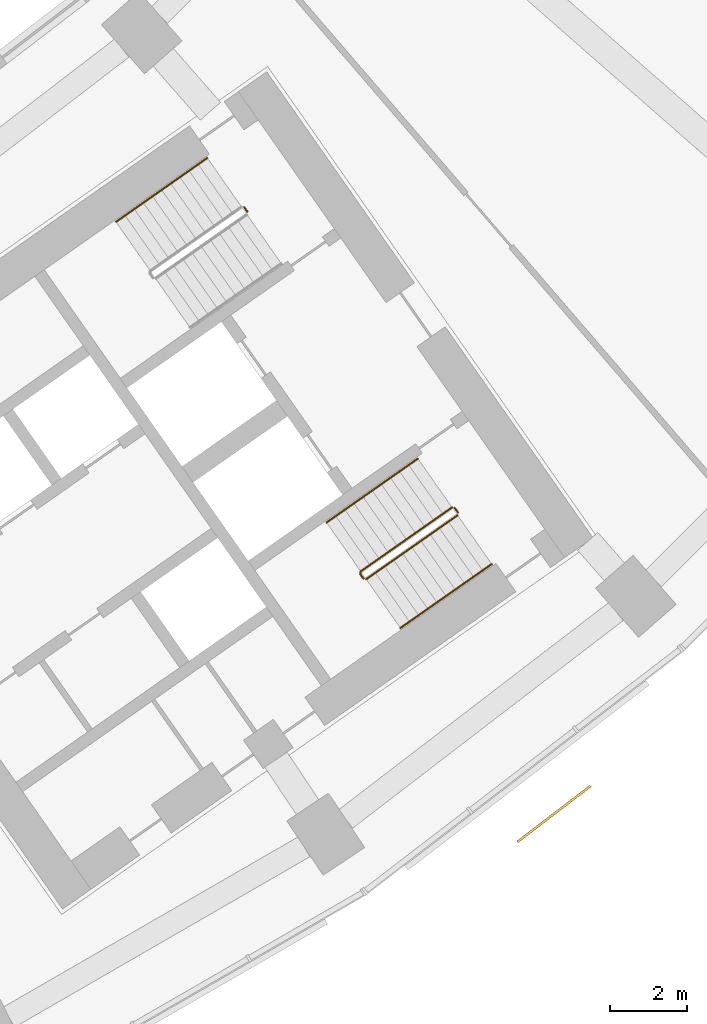
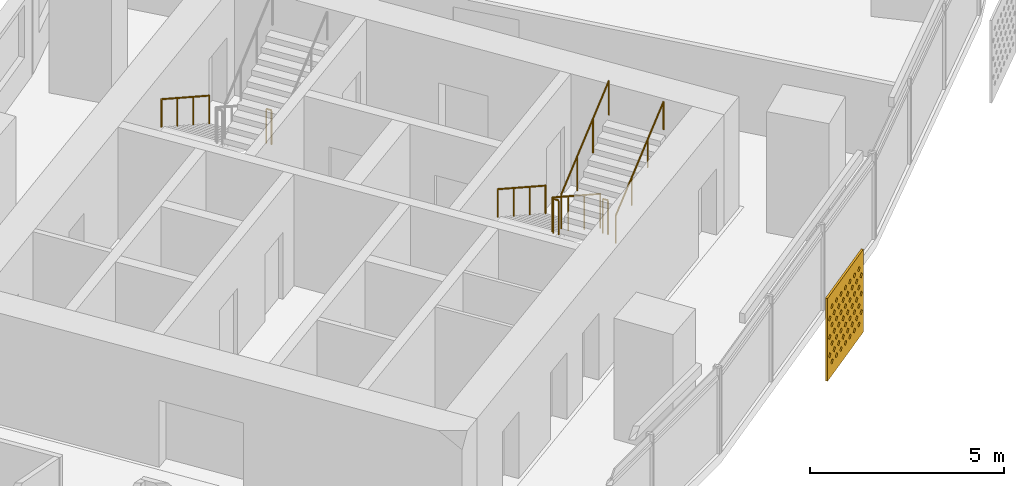
# One storey, part 30 of 31: 7 railings, 1 shading device.
"""IFC4 building model written with IfcOpenShell, lengths in metres."""

from ifc_helpers import new_model, si_unit, direction, frame, origin, origin_2d, place, context, subcontext, project, spatial, polyline, circle, outline, extrude, material, material_profile, profile_set, type_object, element, save


model = new_model("IFC4")

# Units and contexts
model_context = context("Model", 3, precision=1e-05, world=origin(), true_north=direction((0.0, 1.0)))
body_context = subcontext(model_context, "Body", "Model", "MODEL_VIEW")
ifc_project = project(units=[si_unit("LENGTHUNIT", "METRE"), si_unit("AREAUNIT", "SQUARE_METRE"), si_unit("VOLUMEUNIT", "CUBIC_METRE"), si_unit("PLANEANGLEUNIT", "RADIAN"), si_unit("MASSUNIT", "GRAM", prefix="KILO")], contexts=[model_context])

# Site, building, storey
site_placement = place(None, origin())
site = spatial("IfcSite", under=ifc_project, at=site_placement, CompositionType="ELEMENT")
building_placement = place(site_placement, origin())
building = spatial("IfcBuilding", under=site, at=building_placement, Name="Qamariyya Broadcast Tower", CompositionType="ELEMENT")
storey_placement = place(building_placement, frame((0.0, 0.0, 51.89990234375)))
storey = spatial("IfcBuildingStorey", under=building, at=storey_placement, Name="L09", CompositionType="ELEMENT", Elevation=51.89990234375)

# Shading device
ifc_material_1 = material(Name="Perforated glazed terracotta", Category="masonry")
ifc_material_profile = material_profile(ifc_material_1, outline(polyline([(-1.199951171875, -1.300048828125), (1.199951171875, -1.300048828125), (1.199951171875, 1.300048828125), (-1.199951171875, 1.300048828125), (-1.199951171875, -1.300048828125)]), holes=[polyline([(-0.81494140625, -0.86669921875), (-0.89990234375, -0.78173828125), (-0.985107421875, -0.86669921875), (-0.89990234375, -0.95166015625), (-0.81494140625, -0.86669921875)]), polyline([(-0.514892578125, -0.86669921875), (-0.60009765625, -0.78173828125), (-0.68505859375, -0.86669921875), (-0.60009765625, -0.95166015625), (-0.514892578125, -0.86669921875)]), polyline([(-0.215087890625, -0.86669921875), (-0.300048828125, -0.78173828125), (-0.385009765625, -0.86669921875), (-0.300048828125, -0.95166015625), (-0.215087890625, -0.86669921875)]), polyline([(0.0849609375, -0.86669921875), (0.0, -0.78173828125), (-0.0849609375, -0.86669921875), (0.0, -0.95166015625), (0.0849609375, -0.86669921875)]), polyline([(0.385009765625, -0.86669921875), (0.300048828125, -0.78173828125), (0.215087890625, -0.86669921875), (0.300048828125, -0.95166015625), (0.385009765625, -0.86669921875)]), polyline([(0.68505859375, -0.86669921875), (0.60009765625, -0.78173828125), (0.514892578125, -0.86669921875), (0.60009765625, -0.95166015625), (0.68505859375, -0.86669921875)]), polyline([(0.985107421875, -0.86669921875), (0.89990234375, -0.78173828125), (0.81494140625, -0.86669921875), (0.89990234375, -0.95166015625), (0.985107421875, -0.86669921875)]), polyline([(-0.965087890625, -0.577880859375), (-1.050048828125, -0.49267578125), (-1.135009765625, -0.577880859375), (-1.050048828125, -0.662841796875), (-0.965087890625, -0.577880859375)]), polyline([(-0.6650390625, -0.577880859375), (-0.75, -0.49267578125), (-0.8349609375, -0.577880859375), (-0.75, -0.662841796875), (-0.6650390625, -0.577880859375)]), polyline([(-0.364990234375, -0.577880859375), (-0.449951171875, -0.49267578125), (-0.534912109375, -0.577880859375), (-0.449951171875, -0.662841796875), (-0.364990234375, -0.577880859375)]), polyline([(-0.06494140625, -0.577880859375), (-0.14990234375, -0.49267578125), (-0.235107421875, -0.577880859375), (-0.14990234375, -0.662841796875), (-0.06494140625, -0.577880859375)]), polyline([(0.235107421875, -0.577880859375), (0.14990234375, -0.49267578125), (0.06494140625, -0.577880859375), (0.14990234375, -0.662841796875), (0.235107421875, -0.577880859375)]), polyline([(0.534912109375, -0.577880859375), (0.449951171875, -0.49267578125), (0.364990234375, -0.577880859375), (0.449951171875, -0.662841796875), (0.534912109375, -0.577880859375)]), polyline([(0.8349609375, -0.577880859375), (0.75, -0.49267578125), (0.6650390625, -0.577880859375), (0.75, -0.662841796875), (0.8349609375, -0.577880859375)]), polyline([(1.135009765625, -0.577880859375), (1.050048828125, -0.49267578125), (0.965087890625, -0.577880859375), (1.050048828125, -0.662841796875), (1.135009765625, -0.577880859375)]), polyline([(-0.81494140625, -0.288818359375), (-0.89990234375, -0.203857421875), (-0.985107421875, -0.288818359375), (-0.89990234375, -0.373779296875), (-0.81494140625, -0.288818359375)]), polyline([(-0.514892578125, -0.288818359375), (-0.60009765625, -0.203857421875), (-0.68505859375, -0.288818359375), (-0.60009765625, -0.373779296875), (-0.514892578125, -0.288818359375)]), polyline([(-0.215087890625, -0.288818359375), (-0.300048828125, -0.203857421875), (-0.385009765625, -0.288818359375), (-0.300048828125, -0.373779296875), (-0.215087890625, -0.288818359375)]), polyline([(0.0849609375, -0.288818359375), (0.0, -0.203857421875), (-0.0849609375, -0.288818359375), (0.0, -0.373779296875), (0.0849609375, -0.288818359375)]), polyline([(0.385009765625, -0.288818359375), (0.300048828125, -0.203857421875), (0.215087890625, -0.288818359375), (0.300048828125, -0.373779296875), (0.385009765625, -0.288818359375)]), polyline([(0.68505859375, -0.288818359375), (0.60009765625, -0.203857421875), (0.514892578125, -0.288818359375), (0.60009765625, -0.373779296875), (0.68505859375, -0.288818359375)]), polyline([(0.985107421875, -0.288818359375), (0.89990234375, -0.203857421875), (0.81494140625, -0.288818359375), (0.89990234375, -0.373779296875), (0.985107421875, -0.288818359375)]), polyline([(-0.965087890625, 0.0), (-1.050048828125, 0.0849609375), (-1.135009765625, 0.0), (-1.050048828125, -0.0849609375), (-0.965087890625, 0.0)]), polyline([(-0.6650390625, 0.0), (-0.75, 0.0849609375), (-0.8349609375, 0.0), (-0.75, -0.0849609375), (-0.6650390625, 0.0)]), polyline([(-0.364990234375, 0.0), (-0.449951171875, 0.0849609375), (-0.534912109375, 0.0), (-0.449951171875, -0.0849609375), (-0.364990234375, 0.0)]), polyline([(-0.06494140625, 0.0), (-0.14990234375, 0.0849609375), (-0.235107421875, 0.0), (-0.14990234375, -0.0849609375), (-0.06494140625, 0.0)]), polyline([(0.235107421875, 0.0), (0.14990234375, 0.0849609375), (0.06494140625, 0.0), (0.14990234375, -0.0849609375), (0.235107421875, 0.0)]), polyline([(0.534912109375, 0.0), (0.449951171875, 0.0849609375), (0.364990234375, 0.0), (0.449951171875, -0.0849609375), (0.534912109375, 0.0)]), polyline([(0.8349609375, 0.0), (0.75, 0.0849609375), (0.6650390625, 0.0), (0.75, -0.0849609375), (0.8349609375, 0.0)]), polyline([(1.135009765625, 0.0), (1.050048828125, 0.0849609375), (0.965087890625, 0.0), (1.050048828125, -0.0849609375), (1.135009765625, 0.0)]), polyline([(-0.81494140625, 0.288818359375), (-0.89990234375, 0.373779296875), (-0.985107421875, 0.288818359375), (-0.89990234375, 0.203857421875), (-0.81494140625, 0.288818359375)]), polyline([(-0.514892578125, 0.288818359375), (-0.60009765625, 0.373779296875), (-0.68505859375, 0.288818359375), (-0.60009765625, 0.203857421875), (-0.514892578125, 0.288818359375)]), polyline([(-0.215087890625, 0.288818359375), (-0.300048828125, 0.373779296875), (-0.385009765625, 0.288818359375), (-0.300048828125, 0.203857421875), (-0.215087890625, 0.288818359375)]), polyline([(0.0849609375, 0.288818359375), (0.0, 0.373779296875), (-0.0849609375, 0.288818359375), (0.0, 0.203857421875), (0.0849609375, 0.288818359375)]), polyline([(0.385009765625, 0.288818359375), (0.300048828125, 0.373779296875), (0.215087890625, 0.288818359375), (0.300048828125, 0.203857421875), (0.385009765625, 0.288818359375)]), polyline([(0.68505859375, 0.288818359375), (0.60009765625, 0.373779296875), (0.514892578125, 0.288818359375), (0.60009765625, 0.203857421875), (0.68505859375, 0.288818359375)]), polyline([(0.985107421875, 0.288818359375), (0.89990234375, 0.373779296875), (0.81494140625, 0.288818359375), (0.89990234375, 0.203857421875), (0.985107421875, 0.288818359375)]), polyline([(-0.965087890625, 0.577880859375), (-1.050048828125, 0.662841796875), (-1.135009765625, 0.577880859375), (-1.050048828125, 0.49267578125), (-0.965087890625, 0.577880859375)]), polyline([(-0.6650390625, 0.577880859375), (-0.75, 0.662841796875), (-0.8349609375, 0.577880859375), (-0.75, 0.49267578125), (-0.6650390625, 0.577880859375)]), polyline([(-0.364990234375, 0.577880859375), (-0.449951171875, 0.662841796875), (-0.534912109375, 0.577880859375), (-0.449951171875, 0.49267578125), (-0.364990234375, 0.577880859375)]), polyline([(-0.06494140625, 0.577880859375), (-0.14990234375, 0.662841796875), (-0.235107421875, 0.577880859375), (-0.14990234375, 0.49267578125), (-0.06494140625, 0.577880859375)]), polyline([(0.235107421875, 0.577880859375), (0.14990234375, 0.662841796875), (0.06494140625, 0.577880859375), (0.14990234375, 0.49267578125), (0.235107421875, 0.577880859375)]), polyline([(0.534912109375, 0.577880859375), (0.449951171875, 0.662841796875), (0.364990234375, 0.577880859375), (0.449951171875, 0.49267578125), (0.534912109375, 0.577880859375)]), polyline([(0.8349609375, 0.577880859375), (0.75, 0.662841796875), (0.6650390625, 0.577880859375), (0.75, 0.49267578125), (0.8349609375, 0.577880859375)]), polyline([(1.135009765625, 0.577880859375), (1.050048828125, 0.662841796875), (0.965087890625, 0.577880859375), (1.050048828125, 0.49267578125), (1.135009765625, 0.577880859375)]), polyline([(-0.81494140625, 0.86669921875), (-0.89990234375, 0.95166015625), (-0.985107421875, 0.86669921875), (-0.89990234375, 0.78173828125), (-0.81494140625, 0.86669921875)]), polyline([(-0.514892578125, 0.86669921875), (-0.60009765625, 0.95166015625), (-0.68505859375, 0.86669921875), (-0.60009765625, 0.78173828125), (-0.514892578125, 0.86669921875)]), polyline([(-0.215087890625, 0.86669921875), (-0.300048828125, 0.95166015625), (-0.385009765625, 0.86669921875), (-0.300048828125, 0.78173828125), (-0.215087890625, 0.86669921875)]), polyline([(0.0849609375, 0.86669921875), (0.0, 0.95166015625), (-0.0849609375, 0.86669921875), (0.0, 0.78173828125), (0.0849609375, 0.86669921875)]), polyline([(0.385009765625, 0.86669921875), (0.300048828125, 0.95166015625), (0.215087890625, 0.86669921875), (0.300048828125, 0.78173828125), (0.385009765625, 0.86669921875)]), polyline([(0.68505859375, 0.86669921875), (0.60009765625, 0.95166015625), (0.514892578125, 0.86669921875), (0.60009765625, 0.78173828125), (0.68505859375, 0.86669921875)]), polyline([(0.985107421875, 0.86669921875), (0.89990234375, 0.95166015625), (0.81494140625, 0.86669921875), (0.89990234375, 0.78173828125), (0.985107421875, 0.86669921875)])]))
ifc_profile_set = profile_set([ifc_material_profile], Name="Perforated glazed terracotta")
shading_device_type = type_object("IfcShadingDeviceType", Name="Perforated terracotta screen 2400 x 2600", PredefinedType="USERDEFINED", material=ifc_profile_set)
shading_device_placement = place(storey_placement, frame((49.11572265625, -64.0947265625, 1.35009765625), z_axis=(0.607147566278, -0.794589096806, 0.0), x_axis=(0.794589096806, 0.607147566278, 0.0)))
element("IfcShadingDevice", 1, at=shading_device_placement, inside=storey, type_object=shading_device_type, Name="e-scr-L09-13-1", ObjectType="SCREEN", PredefinedType="USERDEFINED", context=body_context, shape_type="SweptSolid", body=[
    extrude(outline(polyline([(-1.199951171875, -1.300048828125), (1.199951171875, -1.300048828125), (1.199951171875, 1.300048828125), (-1.199951171875, 1.300048828125), (-1.199951171875, -1.300048828125)]), holes=[polyline([(-0.81494140625, -0.86669921875), (-0.89990234375, -0.78173828125), (-0.985107421875, -0.86669921875), (-0.89990234375, -0.95166015625), (-0.81494140625, -0.86669921875)]), polyline([(-0.514892578125, -0.86669921875), (-0.60009765625, -0.78173828125), (-0.68505859375, -0.86669921875), (-0.60009765625, -0.95166015625), (-0.514892578125, -0.86669921875)]), polyline([(-0.215087890625, -0.86669921875), (-0.300048828125, -0.78173828125), (-0.385009765625, -0.86669921875), (-0.300048828125, -0.95166015625), (-0.215087890625, -0.86669921875)]), polyline([(0.0849609375, -0.86669921875), (0.0, -0.78173828125), (-0.0849609375, -0.86669921875), (0.0, -0.95166015625), (0.0849609375, -0.86669921875)]), polyline([(0.385009765625, -0.86669921875), (0.300048828125, -0.78173828125), (0.215087890625, -0.86669921875), (0.300048828125, -0.95166015625), (0.385009765625, -0.86669921875)]), polyline([(0.68505859375, -0.86669921875), (0.60009765625, -0.78173828125), (0.514892578125, -0.86669921875), (0.60009765625, -0.95166015625), (0.68505859375, -0.86669921875)]), polyline([(0.985107421875, -0.86669921875), (0.89990234375, -0.78173828125), (0.81494140625, -0.86669921875), (0.89990234375, -0.95166015625), (0.985107421875, -0.86669921875)]), polyline([(-0.965087890625, -0.577880859375), (-1.050048828125, -0.49267578125), (-1.135009765625, -0.577880859375), (-1.050048828125, -0.662841796875), (-0.965087890625, -0.577880859375)]), polyline([(-0.6650390625, -0.577880859375), (-0.75, -0.49267578125), (-0.8349609375, -0.577880859375), (-0.75, -0.662841796875), (-0.6650390625, -0.577880859375)]), polyline([(-0.364990234375, -0.577880859375), (-0.449951171875, -0.49267578125), (-0.534912109375, -0.577880859375), (-0.449951171875, -0.662841796875), (-0.364990234375, -0.577880859375)]), polyline([(-0.06494140625, -0.577880859375), (-0.14990234375, -0.49267578125), (-0.235107421875, -0.577880859375), (-0.14990234375, -0.662841796875), (-0.06494140625, -0.577880859375)]), polyline([(0.235107421875, -0.577880859375), (0.14990234375, -0.49267578125), (0.06494140625, -0.577880859375), (0.14990234375, -0.662841796875), (0.235107421875, -0.577880859375)]), polyline([(0.534912109375, -0.577880859375), (0.449951171875, -0.49267578125), (0.364990234375, -0.577880859375), (0.449951171875, -0.662841796875), (0.534912109375, -0.577880859375)]), polyline([(0.8349609375, -0.577880859375), (0.75, -0.49267578125), (0.6650390625, -0.577880859375), (0.75, -0.662841796875), (0.8349609375, -0.577880859375)]), polyline([(1.135009765625, -0.577880859375), (1.050048828125, -0.49267578125), (0.965087890625, -0.577880859375), (1.050048828125, -0.662841796875), (1.135009765625, -0.577880859375)]), polyline([(-0.81494140625, -0.288818359375), (-0.89990234375, -0.203857421875), (-0.985107421875, -0.288818359375), (-0.89990234375, -0.373779296875), (-0.81494140625, -0.288818359375)]), polyline([(-0.514892578125, -0.288818359375), (-0.60009765625, -0.203857421875), (-0.68505859375, -0.288818359375), (-0.60009765625, -0.373779296875), (-0.514892578125, -0.288818359375)]), polyline([(-0.215087890625, -0.288818359375), (-0.300048828125, -0.203857421875), (-0.385009765625, -0.288818359375), (-0.300048828125, -0.373779296875), (-0.215087890625, -0.288818359375)]), polyline([(0.0849609375, -0.288818359375), (0.0, -0.203857421875), (-0.0849609375, -0.288818359375), (0.0, -0.373779296875), (0.0849609375, -0.288818359375)]), polyline([(0.385009765625, -0.288818359375), (0.300048828125, -0.203857421875), (0.215087890625, -0.288818359375), (0.300048828125, -0.373779296875), (0.385009765625, -0.288818359375)]), polyline([(0.68505859375, -0.288818359375), (0.60009765625, -0.203857421875), (0.514892578125, -0.288818359375), (0.60009765625, -0.373779296875), (0.68505859375, -0.288818359375)]), polyline([(0.985107421875, -0.288818359375), (0.89990234375, -0.203857421875), (0.81494140625, -0.288818359375), (0.89990234375, -0.373779296875), (0.985107421875, -0.288818359375)]), polyline([(-0.965087890625, 0.0), (-1.050048828125, 0.0849609375), (-1.135009765625, 0.0), (-1.050048828125, -0.0849609375), (-0.965087890625, 0.0)]), polyline([(-0.6650390625, 0.0), (-0.75, 0.0849609375), (-0.8349609375, 0.0), (-0.75, -0.0849609375), (-0.6650390625, 0.0)]), polyline([(-0.364990234375, 0.0), (-0.449951171875, 0.0849609375), (-0.534912109375, 0.0), (-0.449951171875, -0.0849609375), (-0.364990234375, 0.0)]), polyline([(-0.06494140625, 0.0), (-0.14990234375, 0.0849609375), (-0.235107421875, 0.0), (-0.14990234375, -0.0849609375), (-0.06494140625, 0.0)]), polyline([(0.235107421875, 0.0), (0.14990234375, 0.0849609375), (0.06494140625, 0.0), (0.14990234375, -0.0849609375), (0.235107421875, 0.0)]), polyline([(0.534912109375, 0.0), (0.449951171875, 0.0849609375), (0.364990234375, 0.0), (0.449951171875, -0.0849609375), (0.534912109375, 0.0)]), polyline([(0.8349609375, 0.0), (0.75, 0.0849609375), (0.6650390625, 0.0), (0.75, -0.0849609375), (0.8349609375, 0.0)]), polyline([(1.135009765625, 0.0), (1.050048828125, 0.0849609375), (0.965087890625, 0.0), (1.050048828125, -0.0849609375), (1.135009765625, 0.0)]), polyline([(-0.81494140625, 0.288818359375), (-0.89990234375, 0.373779296875), (-0.985107421875, 0.288818359375), (-0.89990234375, 0.203857421875), (-0.81494140625, 0.288818359375)]), polyline([(-0.514892578125, 0.288818359375), (-0.60009765625, 0.373779296875), (-0.68505859375, 0.288818359375), (-0.60009765625, 0.203857421875), (-0.514892578125, 0.288818359375)]), polyline([(-0.215087890625, 0.288818359375), (-0.300048828125, 0.373779296875), (-0.385009765625, 0.288818359375), (-0.300048828125, 0.203857421875), (-0.215087890625, 0.288818359375)]), polyline([(0.0849609375, 0.288818359375), (0.0, 0.373779296875), (-0.0849609375, 0.288818359375), (0.0, 0.203857421875), (0.0849609375, 0.288818359375)]), polyline([(0.385009765625, 0.288818359375), (0.300048828125, 0.373779296875), (0.215087890625, 0.288818359375), (0.300048828125, 0.203857421875), (0.385009765625, 0.288818359375)]), polyline([(0.68505859375, 0.288818359375), (0.60009765625, 0.373779296875), (0.514892578125, 0.288818359375), (0.60009765625, 0.203857421875), (0.68505859375, 0.288818359375)]), polyline([(0.985107421875, 0.288818359375), (0.89990234375, 0.373779296875), (0.81494140625, 0.288818359375), (0.89990234375, 0.203857421875), (0.985107421875, 0.288818359375)]), polyline([(-0.965087890625, 0.577880859375), (-1.050048828125, 0.662841796875), (-1.135009765625, 0.577880859375), (-1.050048828125, 0.49267578125), (-0.965087890625, 0.577880859375)]), polyline([(-0.6650390625, 0.577880859375), (-0.75, 0.662841796875), (-0.8349609375, 0.577880859375), (-0.75, 0.49267578125), (-0.6650390625, 0.577880859375)]), polyline([(-0.364990234375, 0.577880859375), (-0.449951171875, 0.662841796875), (-0.534912109375, 0.577880859375), (-0.449951171875, 0.49267578125), (-0.364990234375, 0.577880859375)]), polyline([(-0.06494140625, 0.577880859375), (-0.14990234375, 0.662841796875), (-0.235107421875, 0.577880859375), (-0.14990234375, 0.49267578125), (-0.06494140625, 0.577880859375)]), polyline([(0.235107421875, 0.577880859375), (0.14990234375, 0.662841796875), (0.06494140625, 0.577880859375), (0.14990234375, 0.49267578125), (0.235107421875, 0.577880859375)]), polyline([(0.534912109375, 0.577880859375), (0.449951171875, 0.662841796875), (0.364990234375, 0.577880859375), (0.449951171875, 0.49267578125), (0.534912109375, 0.577880859375)]), polyline([(0.8349609375, 0.577880859375), (0.75, 0.662841796875), (0.6650390625, 0.577880859375), (0.75, 0.49267578125), (0.8349609375, 0.577880859375)]), polyline([(1.135009765625, 0.577880859375), (1.050048828125, 0.662841796875), (0.965087890625, 0.577880859375), (1.050048828125, 0.49267578125), (1.135009765625, 0.577880859375)]), polyline([(-0.81494140625, 0.86669921875), (-0.89990234375, 0.95166015625), (-0.985107421875, 0.86669921875), (-0.89990234375, 0.78173828125), (-0.81494140625, 0.86669921875)]), polyline([(-0.514892578125, 0.86669921875), (-0.60009765625, 0.95166015625), (-0.68505859375, 0.86669921875), (-0.60009765625, 0.78173828125), (-0.514892578125, 0.86669921875)]), polyline([(-0.215087890625, 0.86669921875), (-0.300048828125, 0.95166015625), (-0.385009765625, 0.86669921875), (-0.300048828125, 0.78173828125), (-0.215087890625, 0.86669921875)]), polyline([(0.0849609375, 0.86669921875), (0.0, 0.95166015625), (-0.0849609375, 0.86669921875), (0.0, 0.78173828125), (0.0849609375, 0.86669921875)]), polyline([(0.385009765625, 0.86669921875), (0.300048828125, 0.95166015625), (0.215087890625, 0.86669921875), (0.300048828125, 0.78173828125), (0.385009765625, 0.86669921875)]), polyline([(0.68505859375, 0.86669921875), (0.60009765625, 0.95166015625), (0.514892578125, 0.86669921875), (0.60009765625, 0.78173828125), (0.68505859375, 0.86669921875)]), polyline([(0.985107421875, 0.86669921875), (0.89990234375, 0.95166015625), (0.81494140625, 0.86669921875), (0.89990234375, 0.78173828125), (0.985107421875, 0.86669921875)])]), origin(), (0.0, 0.0, 1.0), 0.059814453125),
])

# Railings
ifc_material_2 = material(Name="Painted steel", Category="steel")
railing_type_1 = type_object("IfcRailingType", Name="Stair guard", PredefinedType="GUARDRAIL", material=ifc_material_2)
railing_1_placement = place(storey_placement, frame((41.072998046875, -48.332275390625, 0.0)))
element("IfcRailing", 2, at=railing_1_placement, inside=storey, type_object=railing_type_1, Name="L09 ST-E2 stair guard 3", PredefinedType="GUARDRAIL", context=body_context, shape_type="SweptSolid", body=[
    extrude(circle(Radius=0.02392578125, at=origin_2d()), frame((0.0, 0.0, 1.076171875), z_axis=(0.572588637393, -0.819842821722, 0.0), x_axis=(0.819842821722, 0.572588637393, 0.0)), (0.0, 0.0, 1.0), 0.150146484375),
    extrude(circle(Radius=0.02099609375, at=origin_2d()), origin(), (0.0, 0.0, 1.0), 1.052001953125),
    extrude(circle(Radius=0.02099609375, at=origin_2d()), frame((0.0859375, -0.123046875, 0.0)), (0.0, 0.0, 1.0), 1.052001953125),
])
railing_2_placement = place(storey_placement, frame((46.48095703125, -56.14306640625, 0.1728515625)))
element("IfcRailing", 3, at=railing_2_placement, inside=storey, type_object=railing_type_1, Name="L09 ST-E1 stair guard 1", PredefinedType="GUARDRAIL", context=body_context, shape_type="SweptSolid", body=[
    extrude(circle(Radius=0.02392578125, at=origin_2d()), frame((0.0, 0.0, 1.076171875), z_axis=(-0.703770094002, -0.492783725636, 0.511734163933), x_axis=(0.573575343427, -0.819152809562, 0.0)), (0.0, 0.0, 1.0), 3.37548828125),
    extrude(circle(Radius=0.02392578125, at=origin_2d()), frame((-2.37548828125, -1.663330078125, 2.80322265625), z_axis=(-0.176149252506, -0.984363469884, 0.0), x_axis=(0.984363469884, -0.176149252506, 0.0)), (0.0, 0.0, 1.0), 0.07080078125),
    extrude(circle(Radius=0.02392578125, at=origin_2d()), frame((-2.387939453125, -1.73291015625, 2.80322265625), z_axis=(0.574444878118, -0.818543268254, 0.0), x_axis=(0.818543268254, 0.574444878118, 0.0)), (0.0, 0.0, 1.0), 0.150146484375),
    extrude(circle(Radius=0.02099609375, at=origin_2d()), origin(), (0.0, 0.0, 1.0), 1.052001953125),
    extrude(circle(Radius=0.02099609375, at=origin_2d()), frame((-0.791748046875, -0.554443359375, 0.57568359375)), (0.0, 0.0, 1.0), 1.052001953125),
    extrude(circle(Radius=0.02099609375, at=origin_2d()), frame((-1.583740234375, -1.10888671875, 1.151611328125)), (0.0, 0.0, 1.0), 1.052001953125),
    extrude(circle(Radius=0.02099609375, at=origin_2d()), frame((-2.37548828125, -1.663330078125, 1.727294921875)), (0.0, 0.0, 1.0), 1.052001953125),
    extrude(circle(Radius=0.02099609375, at=origin_2d()), frame((-2.387939453125, -1.73291015625, 1.727294921875)), (0.0, 0.0, 1.0), 1.052001953125),
    extrude(circle(Radius=0.02099609375, at=origin_2d()), frame((-2.3017578125, -1.855712890625, 1.727294921875)), (0.0, 0.0, 1.0), 1.052001953125),
])
railing_3_placement = place(storey_placement, frame((44.248779296875, -58.01123046875, 2.07275390625)))
element("IfcRailing", 4, at=railing_3_placement, inside=storey, type_object=railing_type_1, Name="L09 ST-E1 stair guard 2", PredefinedType="GUARDRAIL", context=body_context, shape_type="SweptSolid", body=[
    extrude(circle(Radius=0.02392578125, at=origin_2d()), frame((0.0, 0.0, 1.076171875), z_axis=(0.703745009021, 0.492838488332, 0.511715923826), x_axis=(-0.573631830683, 0.819113253969, 0.0)), (0.0, 0.0, 1.0), 3.37548828125),
    extrude(circle(Radius=0.02099609375, at=origin_2d()), origin(), (0.0, 0.0, 1.0), 1.052001953125),
    extrude(circle(Radius=0.02099609375, at=origin_2d()), frame((0.791748046875, 0.554443359375, 0.57568359375)), (0.0, 0.0, 1.0), 1.052001953125),
    extrude(circle(Radius=0.02099609375, at=origin_2d()), frame((1.583740234375, 1.109130859375, 1.151611328125)), (0.0, 0.0, 1.0), 1.052001953125),
    extrude(circle(Radius=0.02099609375, at=origin_2d()), frame((2.37548828125, 1.66357421875, 1.727294921875)), (0.0, 0.0, 1.0), 1.052001953125),
])
railing_4_placement = place(storey_placement, frame((46.550537109375, -56.1552734375, 0.0)))
element("IfcRailing", 5, at=railing_4_placement, inside=storey, type_object=railing_type_1, Name="L09 ST-E1 stair guard 3", PredefinedType="GUARDRAIL", context=body_context, shape_type="SweptSolid", body=[
    extrude(circle(Radius=0.02392578125, at=origin_2d()), frame((0.0, 0.0, 1.076171875), z_axis=(0.574444878118, -0.818543268254, 0.0), x_axis=(0.818543268254, 0.574444878118, 0.0)), (0.0, 0.0, 1.0), 0.150146484375),
    extrude(circle(Radius=0.02099609375, at=origin_2d()), origin(), (0.0, 0.0, 1.0), 1.052001953125),
    extrude(circle(Radius=0.02099609375, at=origin_2d()), frame((0.086181640625, -0.122802734375, 0.0)), (0.0, 0.0, 1.0), 1.052001953125),
])
ifc_material_3 = material(Name="Stainless steel", Category="steel")
railing_type_2 = type_object("IfcRailingType", Name="Stair handrail", PredefinedType="HANDRAIL", material=ifc_material_3)
railing_5_placement = place(storey_placement, frame((40.1142578125, -47.05029296875, 0.1728515625)))
element("IfcRailing", 6, at=railing_5_placement, inside=storey, type_object=railing_type_2, Name="L09 ST-E2 stair handrail 1", PredefinedType="HANDRAIL", context=body_context, shape_type="SweptSolid", body=[
    extrude(circle(Radius=0.02392578125, at=origin_2d()), frame((0.0, 0.0, 0.8759765625), z_axis=(-0.703745009021, -0.492838488332, 0.511715923826), x_axis=(0.573631830683, -0.819113253969, 0.0)), (0.0, 0.0, 1.0), 3.37548828125),
    extrude(circle(Radius=0.02099609375, at=origin_2d()), origin(), (0.0, 0.0, 1.0), 0.851806640625),
    extrude(circle(Radius=0.02099609375, at=origin_2d()), frame((-0.791748046875, -0.554443359375, 0.57568359375)), (0.0, 0.0, 1.0), 0.851806640625),
    extrude(circle(Radius=0.02099609375, at=origin_2d()), frame((-1.583740234375, -1.109130859375, 1.151611328125)), (0.0, 0.0, 1.0), 0.851806640625),
    extrude(circle(Radius=0.02099609375, at=origin_2d()), frame((-2.37548828125, -1.66357421875, 1.727294921875)), (0.0, 0.0, 1.0), 0.851806640625),
])
railing_6_placement = place(storey_placement, frame((45.591796875, -54.873291015625, 0.1728515625)))
element("IfcRailing", 7, at=railing_6_placement, inside=storey, type_object=railing_type_2, Name="L09 ST-E1 stair handrail 1", PredefinedType="HANDRAIL", context=body_context, shape_type="SweptSolid", body=[
    extrude(circle(Radius=0.02392578125, at=origin_2d()), frame((0.0, 0.0, 0.8759765625), z_axis=(-0.703770094002, -0.492783725636, 0.511734163933), x_axis=(0.573575343427, -0.819152809562, 0.0)), (0.0, 0.0, 1.0), 3.37548828125),
    extrude(circle(Radius=0.02099609375, at=origin_2d()), origin(), (0.0, 0.0, 1.0), 0.851806640625),
    extrude(circle(Radius=0.02099609375, at=origin_2d()), frame((-0.791748046875, -0.554443359375, 0.57568359375)), (0.0, 0.0, 1.0), 0.851806640625),
    extrude(circle(Radius=0.02099609375, at=origin_2d()), frame((-1.583740234375, -1.10888671875, 1.151611328125)), (0.0, 0.0, 1.0), 0.851806640625),
    extrude(circle(Radius=0.02099609375, at=origin_2d()), frame((-2.37548828125, -1.663330078125, 1.727294921875)), (0.0, 0.0, 1.0), 0.851806640625),
])
railing_7_placement = place(storey_placement, frame((45.137939453125, -59.28076171875, 2.07275390625)))
element("IfcRailing", 8, at=railing_7_placement, inside=storey, type_object=railing_type_2, Name="L09 ST-E1 stair handrail 2", PredefinedType="HANDRAIL", context=body_context, shape_type="SweptSolid", body=[
    extrude(circle(Radius=0.02392578125, at=origin_2d()), frame((0.0, 0.0, 0.8759765625), z_axis=(0.703770094002, 0.492783725636, 0.511734163933), x_axis=(-0.573575343427, 0.819152809562, 0.0)), (0.0, 0.0, 1.0), 3.37548828125),
    extrude(circle(Radius=0.02099609375, at=origin_2d()), origin(), (0.0, 0.0, 1.0), 0.851806640625),
    extrude(circle(Radius=0.02099609375, at=origin_2d()), frame((0.791748046875, 0.554443359375, 0.57568359375)), (0.0, 0.0, 1.0), 0.851806640625),
    extrude(circle(Radius=0.02099609375, at=origin_2d()), frame((1.583740234375, 1.10888671875, 1.151611328125)), (0.0, 0.0, 1.0), 0.851806640625),
    extrude(circle(Radius=0.02099609375, at=origin_2d()), frame((2.37548828125, 1.663330078125, 1.727294921875)), (0.0, 0.0, 1.0), 0.851806640625),
])

save(model, "model.ifc")
